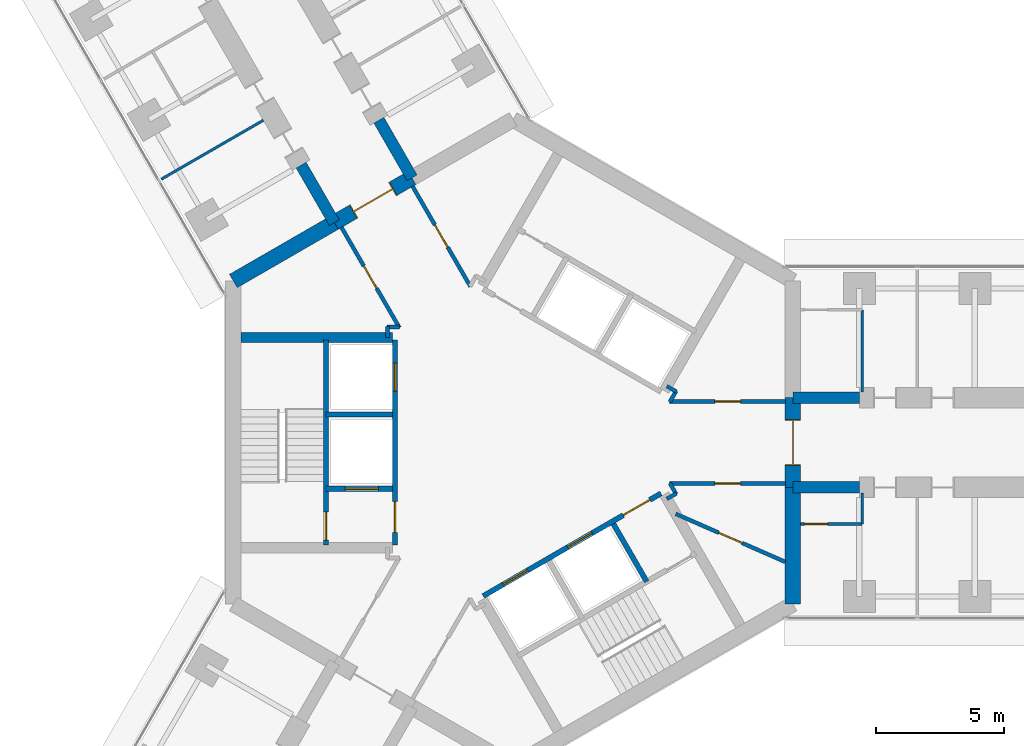
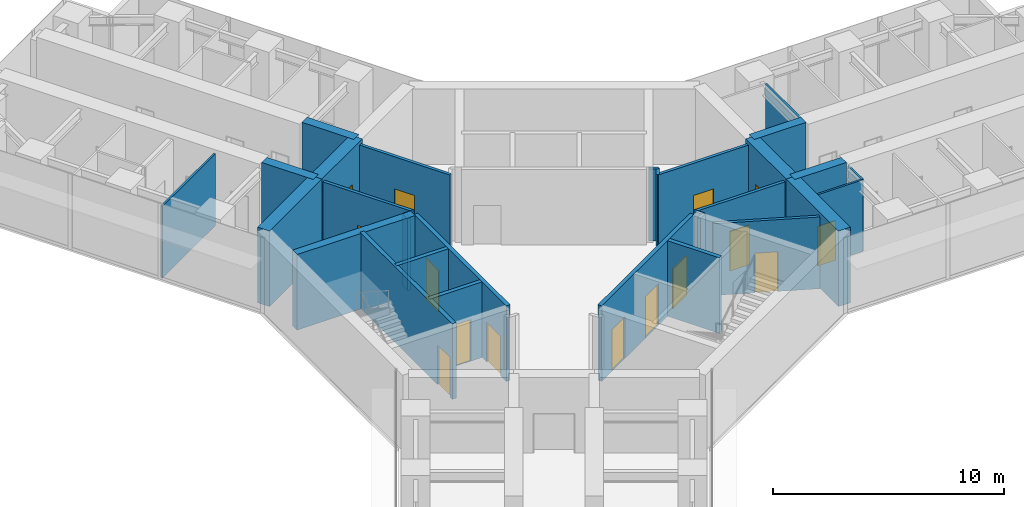
# One storey, part 16 of 23: 30 walls, 15 doors, 15 openings.
"""IFC4 building model written with IfcOpenShell, lengths in metres."""

from ifc_helpers import new_model, si_unit, direction, frame, frame_2d, origin, place, context, subcontext, project, spatial, rectangle, extrude, material, layer, layer_set, type_object, element, fill, save


model = new_model("IFC4")

# Units and contexts
model_context = context("Model", 3, precision=1e-05, world=origin(), true_north=direction((0.0, 1.0)))
body_context = subcontext(model_context, "Body", "Model", "MODEL_VIEW")
ifc_project = project(units=[si_unit("LENGTHUNIT", "METRE"), si_unit("AREAUNIT", "SQUARE_METRE"), si_unit("VOLUMEUNIT", "CUBIC_METRE"), si_unit("PLANEANGLEUNIT", "RADIAN"), si_unit("MASSUNIT", "GRAM", prefix="KILO")], contexts=[model_context])

# Site, building, storey
site_placement = place(None, origin())
site = spatial("IfcSite", under=ifc_project, at=site_placement, CompositionType="ELEMENT")
building_placement = place(site_placement, origin())
building = spatial("IfcBuilding", under=site, at=building_placement, Name="Upepo Twin Towers", CompositionType="ELEMENT")
storey_placement = place(building_placement, frame((0.0, 0.0, 153.5)))
storey = spatial("IfcBuildingStorey", under=building, at=storey_placement, Name="L37", CompositionType="ELEMENT", Elevation=153.5)

# Walls
ifc_material_1 = material(Name="Concrete C60/75", Category="concrete")
ifc_layer_1 = layer(ifc_material_1, 0.449951171875)
ifc_layer_set_1 = layer_set([ifc_layer_1], Name="Concrete C60/75")
wall_type_1 = type_object("IfcWallType", Name="Buttress wall 450 RC", PredefinedType="SHEAR", material=ifc_layer_set_1)
for number, where, z_axis, x_axis, name in (
    (1, (10.908447265625, 1.75, 0.0), (0.0, 0.0, 1.0), (1.0, 0.0, 0.0), "T1 wing A buttress wall L"),
    (2, (10.908447265625, -1.75, 0.0), (0.0, 0.0, 1.0), (1.0, 0.0, 0.0), "T1 wing A buttress wall R"),
):
    element("IfcWall", number, at=place(storey_placement, frame(where, z_axis=z_axis, x_axis=x_axis)), inside=storey, type_object=wall_type_1, Name=name, PredefinedType="SHEAR", context=body_context, shape_type="SweptSolid", body=[
        extrude(rectangle(XDim=2.591552734375, YDim=0.449951171875, at=frame_2d((1.2958984375, 0.0))), origin(), (0.0, 0.0, 1.0), 4.0),
    ])
for number, where, z_axis, x_axis, name in (
    (3, (-6.9697265625, 8.57177734375, 0.0), (0.0, 0.0, 1.0), (-0.499988811324, 0.866031863473, 0.0), "T1 wing B buttress wall L"),
    (4, (-3.938720703125, 10.32177734375, 0.0), (0.0, 0.0, 1.0), (-0.499918158782, 0.866072649678, 0.0), "T1 wing B buttress wall R"),
):
    element("IfcWall", number, at=place(storey_placement, frame(where, z_axis=z_axis, x_axis=x_axis)), inside=storey, type_object=wall_type_1, Name=name, PredefinedType="SHEAR", context=body_context, shape_type="SweptSolid", body=[
        extrude(rectangle(XDim=2.591796875, YDim=0.449951171875, at=frame_2d((1.2958984375, 0.0))), origin(), (0.0, 0.0, 1.0), 4.0),
    ])
ifc_material_2 = material(Name="Concrete C60/75", Category="concrete")
ifc_layer_2 = layer(ifc_material_2, 0.60009765625)
ifc_layer_set_2 = layer_set([ifc_layer_2], Name="Concrete C60/75")
wall_type_2 = type_object("IfcWallType", Name="Core wall 600 RC", PredefinedType="SHEAR", material=ifc_layer_set_2)
wall_1_placement = place(storey_placement, frame((10.908447265625, -6.2978515625, 0.0), z_axis=(0.0, 0.0, 1.0), x_axis=(0.0, 1.0, 0.0)))
element("IfcWall", 5, at=wall_1_placement, inside=storey, type_object=wall_type_2, Name="T1 core wall 000 R", PredefinedType="SHEAR", context=body_context, shape_type="SweptSolid", body=[
    extrude(rectangle(XDim=4.5478515625, YDim=0.60009765625, at=frame_2d((2.27392578125, 0.0))), origin(), (0.0, 0.0, 1.0), 4.0),
])

# Wall, opening, door
wall_2_placement = place(storey_placement, frame((10.908447265625, -1.75, 0.0), z_axis=(0.0, 0.0, 1.0), x_axis=(0.0, 1.0, 0.0)))
wall_2 = element("IfcWall", 6, at=wall_2_placement, inside=storey, type_object=wall_type_2, Name="T1 core wall 000", PredefinedType="SHEAR", context=body_context, shape_type="SweptSolid", body=[
    extrude(rectangle(XDim=3.5, YDim=0.60009765625, at=frame_2d((1.75, 0.0))), origin(), (0.0, 0.0, 1.0), 4.0),
])
opening_1_placement = place(wall_2_placement, frame((0.85009765625, 0.0, 0.0)))
opening_1 = element("IfcOpeningElement", 7, at=opening_1_placement, cuts=wall_2, Name="Opening D2", PredefinedType="OPENING", context=body_context, shape_type="SweptSolid", body=[
    extrude(rectangle(XDim=1.800048828125, YDim=2.10009765625, at=frame_2d((0.89990234375, 1.050048828125))), frame((0.0, 0.31005859375, 0.0), z_axis=(0.0, -1.0, 0.0), x_axis=(1.0, 0.0, 0.0)), (0.0, 0.0, 1.0), 0.6201171875),
])
ifc_material_3 = material(Name="Timber doorset", Category="wood")
door_type_1 = type_object("IfcDoorType", Name="Corridor double door 1800 FD60", OperationType="DOUBLE_DOOR_DOUBLE_SWING", PredefinedType="DOOR", material=ifc_material_3)
door_1_placement = place(opening_1_placement, origin())
door_1 = element("IfcDoor", 8, at=door_1_placement, inside=storey, type_object=door_type_1, Name="T1 L37 wing A corridor door", OperationType="DOUBLE_DOOR_DOUBLE_SWING", OverallHeight=2.10009765625, OverallWidth=1.800048828125, PredefinedType="DOOR", context=body_context, shape_type="SweptSolid", body=[
    extrude(rectangle(XDim=1.720048828125, YDim=2.06009765625, at=frame_2d((0.89990234375, 1.030029296875))), frame((0.0, 0.02490234375, 0.0), z_axis=(0.0, -1.0, 0.0), x_axis=(1.0, 0.0, 0.0)), (0.0, 0.0, 1.0), 0.050048828125),
    extrude(rectangle(XDim=0.04, YDim=2.10009765625, at=frame_2d((0.02001953125, 1.050048828125))), frame((0.0, 0.2998046875, 0.0), z_axis=(0.0, -1.0, 0.0), x_axis=(1.0, 0.0, 0.0)), (0.0, 0.0, 1.0), 0.599609375),
    extrude(rectangle(XDim=0.04, YDim=2.10009765625, at=frame_2d((1.780029296875, 1.050048828125))), frame((0.0, 0.2998046875, 0.0), z_axis=(0.0, -1.0, 0.0), x_axis=(1.0, 0.0, 0.0)), (0.0, 0.0, 1.0), 0.599609375),
    extrude(rectangle(XDim=1.720048828125, YDim=0.04, at=frame_2d((0.89990234375, 2.080078125))), frame((0.0, 0.2998046875, 0.0), z_axis=(0.0, -1.0, 0.0), x_axis=(1.0, 0.0, 0.0)), (0.0, 0.0, 1.0), 0.599609375),
])
fill(opening_1, door_1)

wall_3_placement = place(storey_placement, frame((-3.938720703125, 10.32177734375, 0.0), z_axis=(0.0, 0.0, 1.0), x_axis=(-0.866019471182, -0.500010275428, 0.0)))
wall_3 = element("IfcWall", 9, at=wall_3_placement, inside=storey, type_object=wall_type_2, Name="T1 core wall 120", PredefinedType="SHEAR", context=body_context, shape_type="SweptSolid", body=[
    extrude(rectangle(XDim=3.5, YDim=0.60009765625, at=frame_2d((1.75, 0.0))), origin(), (0.0, 0.0, 1.0), 4.0),
])
opening_2_placement = place(wall_3_placement, frame((0.85009765625, 0.0, 0.0)))
opening_2 = element("IfcOpeningElement", 10, at=opening_2_placement, cuts=wall_3, Name="Opening D2", PredefinedType="OPENING", context=body_context, shape_type="SweptSolid", body=[
    extrude(rectangle(XDim=1.800048828125, YDim=2.10009765625, at=frame_2d((0.89990234375, 1.050048828125))), frame((0.0, 0.31005859375, 0.0), z_axis=(0.0, -1.0, 0.0), x_axis=(1.0, 0.0, 0.0)), (0.0, 0.0, 1.0), 0.6201171875),
])
door_2_placement = place(opening_2_placement, origin())
door_2 = element("IfcDoor", 11, at=door_2_placement, inside=storey, type_object=door_type_1, Name="T1 L37 wing B corridor door", OperationType="DOUBLE_DOOR_DOUBLE_SWING", OverallHeight=2.10009765625, OverallWidth=1.800048828125, PredefinedType="DOOR", context=body_context, shape_type="SweptSolid", body=[
    extrude(rectangle(XDim=1.720048828125, YDim=2.06009765625, at=frame_2d((0.89990234375, 1.030029296875))), frame((0.0, 0.02490234375, 0.0), z_axis=(0.0, -1.0, 0.0), x_axis=(1.0, 0.0, 0.0)), (0.0, 0.0, 1.0), 0.050048828125),
    extrude(rectangle(XDim=0.04, YDim=2.10009765625, at=frame_2d((0.02001953125, 1.050048828125))), frame((0.0, 0.2998046875, 0.0), z_axis=(0.0, -1.0, 0.0), x_axis=(1.0, 0.0, 0.0)), (0.0, 0.0, 1.0), 0.599609375),
    extrude(rectangle(XDim=0.04, YDim=2.10009765625, at=frame_2d((1.780029296875, 1.050048828125))), frame((0.0, 0.2998046875, 0.0), z_axis=(0.0, -1.0, 0.0), x_axis=(1.0, 0.0, 0.0)), (0.0, 0.0, 1.0), 0.599609375),
    extrude(rectangle(XDim=1.720048828125, YDim=0.04, at=frame_2d((0.89990234375, 2.080078125))), frame((0.0, 0.2998046875, 0.0), z_axis=(0.0, -1.0, 0.0), x_axis=(1.0, 0.0, 0.0)), (0.0, 0.0, 1.0), 0.599609375),
])
fill(opening_2, door_2)

# Walls
wall_4_placement = place(storey_placement, frame((-6.9697265625, 8.57177734375, 0.0), z_axis=(0.0, 0.0, 1.0), x_axis=(-0.866034513004, -0.499984222037, 0.0)))
element("IfcWall", 12, at=wall_4_placement, inside=storey, type_object=wall_type_2, Name="T1 core wall 120 L", PredefinedType="SHEAR", context=body_context, shape_type="SweptSolid", body=[
    extrude(rectangle(XDim=4.548095703125, YDim=0.60009765625, at=frame_2d((2.27392578125, 0.0))), origin(), (0.0, 0.0, 1.0), 4.0),
])
ifc_material_4 = material(Name="Gypsum board on steel studs", Category="steel")
ifc_layer_3 = layer(ifc_material_4, 0.10009765625)
ifc_layer_set_3 = layer_set([ifc_layer_3], Name="Office partition 100 stud")
wall_type_3 = type_object("IfcWallType", Name="Office partition 100 stud", PredefinedType="PARTITIONING", material=ifc_layer_set_3)
wall_5_placement = place(storey_placement, frame((13.60791015625, 1.97509765625, 0.0), z_axis=(0.0, 0.0, 1.0), x_axis=(0.0, 1.0, 0.0)))
element("IfcWall", 13, at=wall_5_placement, inside=storey, type_object=wall_type_3, Name="T1 WC bay partition AL end at 13.61", PredefinedType="PARTITIONING", context=body_context, shape_type="SweptSolid", body=[
    extrude(rectangle(XDim=3.199951171875, YDim=0.10009765625, at=frame_2d((1.60009765625, 0.0))), origin(), (0.0, 0.0, 1.0), 3.800048828125),
])

# Wall, opening, door
wall_6_placement = place(storey_placement, frame((11.2080078125, -3.175048828125, 0.0), z_axis=(0.0, 0.0, 1.0), x_axis=(1.0, 0.0, 0.0)))
wall_6 = element("IfcWall", 14, at=wall_6_placement, inside=storey, type_object=wall_type_3, Name="T1 WC bay partition AR at 11.21", PredefinedType="PARTITIONING", context=body_context, shape_type="SweptSolid", body=[
    extrude(rectangle(XDim=2.39990234375, YDim=0.10009765625, at=frame_2d((1.199951171875, 0.0))), origin(), (0.0, 0.0, 1.0), 3.800048828125),
])
opening_3_placement = place(wall_6_placement, frame((0.14990234375, 0.0, 0.0)))
opening_3 = element("IfcOpeningElement", 15, at=opening_3_placement, cuts=wall_6, Name="Opening D14", PredefinedType="OPENING", context=body_context, shape_type="SweptSolid", body=[
    extrude(rectangle(XDim=0.89990234375, YDim=2.10009765625, at=frame_2d((0.449951171875, 1.050048828125))), frame((0.0, 0.06005859375, 0.0), z_axis=(0.0, -1.0, 0.0), x_axis=(1.0, 0.0, 0.0)), (0.0, 0.0, 1.0), 0.1201171875),
])
ifc_material_5 = material(Name="Timber doorset", Category="wood")
door_type_2 = type_object("IfcDoorType", Name="Office door 900 FD30", OperationType="SINGLE_SWING_LEFT", PredefinedType="DOOR", material=ifc_material_5)
door_3_placement = place(opening_3_placement, origin())
door_3 = element("IfcDoor", 16, at=door_3_placement, inside=storey, type_object=door_type_2, Name="T1 L37 WC bay inner room door", OperationType="SINGLE_SWING_LEFT", OverallHeight=2.10009765625, OverallWidth=0.89990234375, PredefinedType="DOOR", context=body_context, shape_type="SweptSolid", body=[
    extrude(rectangle(XDim=0.89990234375, YDim=2.10009765625, at=frame_2d((0.449951171875, 1.050048828125))), frame((0.0, 0.02490234375, 0.0), z_axis=(0.0, -1.0, 0.0), x_axis=(1.0, 0.0, 0.0)), (0.0, 0.0, 1.0), 0.050048828125),
])
fill(opening_3, door_3)

# Walls
wall_7_placement = place(storey_placement, frame((13.60791015625, -1.97509765625, 0.0), z_axis=(0.0, 0.0, 1.0), x_axis=(0.0, -1.0, 0.0)))
element("IfcWall", 17, at=wall_7_placement, inside=storey, type_object=wall_type_3, Name="T1 WC bay partition AR end at 13.61", PredefinedType="PARTITIONING", context=body_context, shape_type="SweptSolid", body=[
    extrude(rectangle(XDim=1.199951171875, YDim=0.10009765625, at=frame_2d((0.60009765625, 0.0))), origin(), (0.0, 0.0, 1.0), 3.800048828125),
])
wall_8_placement = place(storey_placement, frame((-9.737060546875, 12.56494140625, 0.0), z_axis=(0.0, 0.0, 1.0), x_axis=(-0.866016770315, -0.500014953309, 0.0)))
element("IfcWall", 18, at=wall_8_placement, inside=storey, type_object=wall_type_3, Name="T1 partition BL at 15.75", PredefinedType="PARTITIONING", context=body_context, shape_type="SweptSolid", body=[
    extrude(rectangle(XDim=4.599853515625, YDim=0.10009765625, at=frame_2d((2.2998046875, 0.0))), origin(), (0.0, 0.0, 1.0), 3.800048828125),
])

# Wall, openings, doors
ifc_material_6 = material(Name="Concrete C40/50", Category="concrete")
ifc_layer_4 = layer(ifc_material_6, 0.199951171875)
ifc_layer_set_4 = layer_set([ifc_layer_4], Name="Concrete C40/50")
wall_type_4 = type_object("IfcWallType", Name="Shaft wall 200 RC", PredefinedType="SHEAR", material=ifc_layer_set_4)
wall_9_placement = place(storey_placement, frame((-4.60009765625, 4.0, 0.0), z_axis=(0.0, 0.0, 1.0), x_axis=(0.0, -1.0, 0.0)))
wall_9 = element("IfcWall", 19, at=wall_9_placement, inside=storey, type_object=wall_type_4, Name="T1 core W180 front wall", PredefinedType="SHEAR", context=body_context, shape_type="SweptSolid", body=[
    extrude(rectangle(XDim=8.0, YDim=0.199951171875, at=frame_2d((4.0, 0.0))), origin(), (0.0, 0.0, 1.0), 4.0),
])
opening_4_placement = place(wall_9_placement, frame((6.300048828125, 0.0, 0.0)))
opening_4 = element("IfcOpeningElement", 20, at=opening_4_placement, cuts=wall_9, Name="Opening D4", PredefinedType="OPENING", context=body_context, shape_type="SweptSolid", body=[
    extrude(rectangle(XDim=1.199951171875, YDim=2.10009765625, at=frame_2d((0.60009765625, 1.050048828125))), frame((0.0, 0.10986328125, 0.0), z_axis=(0.0, -1.0, 0.0), x_axis=(1.0, 0.0, 0.0)), (0.0, 0.0, 1.0), 0.219970703125),
])
opening_5_placement = place(wall_9_placement, frame((0.89990234375, 0.0, 0.0)))
opening_5 = element("IfcOpeningElement", 21, at=opening_5_placement, cuts=wall_9, Name="Opening LD1", PredefinedType="OPENING", context=body_context, shape_type="SweptSolid", body=[
    extrude(rectangle(XDim=1.10009765625, YDim=2.199951171875, at=frame_2d((0.550048828125, 1.10009765625))), frame((0.0, 0.10986328125, 0.0), z_axis=(0.0, -1.0, 0.0), x_axis=(1.0, 0.0, 0.0)), (0.0, 0.0, 1.0), 0.219970703125),
])
ifc_material_7 = material(Name="Steel doorset", Category="steel")
door_type_3 = type_object("IfcDoorType", Name="Lift landing door 1100", OperationType="DOUBLE_DOOR_SLIDING", PredefinedType="DOOR", material=ifc_material_7)
door_4_placement = place(opening_5_placement, origin())
door_4 = element("IfcDoor", 22, at=door_4_placement, inside=storey, type_object=door_type_3, Name="T1 L37 lift SV1 landing door", OperationType="DOUBLE_DOOR_SLIDING", OverallHeight=2.199951171875, OverallWidth=1.10009765625, PredefinedType="DOOR", context=body_context, shape_type="SweptSolid", body=[
    extrude(rectangle(XDim=1.10009765625, YDim=2.199951171875, at=frame_2d((0.550048828125, 1.10009765625))), frame((0.0, 0.02490234375, 0.0), z_axis=(0.0, -1.0, 0.0), x_axis=(1.0, 0.0, 0.0)), (0.0, 0.0, 1.0), 0.050048828125),
])
fill(opening_5, door_4)
ifc_material_8 = material(Name="Timber doorset", Category="wood")
door_type_4 = type_object("IfcDoorType", Name="Lobby door 1200 FD60", OperationType="SINGLE_SWING_LEFT", PredefinedType="DOOR", material=ifc_material_8)
door_5_placement = place(opening_4_placement, origin())
door_5 = element("IfcDoor", 23, at=door_5_placement, inside=storey, type_object=door_type_4, Name="T1 L37 W180 lobby door", OperationType="SINGLE_SWING_RIGHT", OverallHeight=2.10009765625, OverallWidth=1.199951171875, PredefinedType="DOOR", context=body_context, shape_type="SweptSolid", body=[
    extrude(rectangle(XDim=1.199951171875, YDim=2.10009765625, at=frame_2d((0.60009765625, 1.050048828125))), frame((0.0, 0.02490234375, 0.0), z_axis=(0.0, -1.0, 0.0), x_axis=(1.0, 0.0, 0.0)), (0.0, 0.0, 1.0), 0.050048828125),
])
fill(opening_4, door_5)

# Wall
wall_10_placement = place(storey_placement, frame((-4.699951171875, 1.10009765625, 0.0), z_axis=(0.0, 0.0, 1.0), x_axis=(-1.0, 0.0, 0.0)))
element("IfcWall", 24, at=wall_10_placement, inside=storey, type_object=wall_type_4, Name="T1 core W180 shaft divider", PredefinedType="SHEAR", context=body_context, shape_type="SweptSolid", body=[
    extrude(rectangle(XDim=2.60009765625, YDim=0.199951171875, at=frame_2d((1.300048828125, 0.0))), origin(), (0.0, 0.0, 1.0), 4.0),
])

# Wall, opening, door
wall_11_placement = place(storey_placement, frame((-4.699951171875, -1.800048828125, 0.0), z_axis=(0.0, 0.0, 1.0), x_axis=(-1.0, 0.0, 0.0)))
wall_11 = element("IfcWall", 25, at=wall_11_placement, inside=storey, type_object=wall_type_4, Name="T1 core W180 lobby wall", PredefinedType="SHEAR", context=body_context, shape_type="SweptSolid", body=[
    extrude(rectangle(XDim=2.60009765625, YDim=0.199951171875, at=frame_2d((1.300048828125, 0.0))), origin(), (0.0, 0.0, 1.0), 4.0),
])
opening_6_placement = place(wall_11_placement, frame((0.550048828125, 0.0, 0.0)))
opening_6 = element("IfcOpeningElement", 26, at=opening_6_placement, cuts=wall_11, Name="Opening LD2", PredefinedType="OPENING", context=body_context, shape_type="SweptSolid", body=[
    extrude(rectangle(XDim=1.300048828125, YDim=2.199951171875, at=frame_2d((0.64990234375, 1.10009765625))), frame((0.0, 0.10986328125, 0.0), z_axis=(0.0, -1.0, 0.0), x_axis=(1.0, 0.0, 0.0)), (0.0, 0.0, 1.0), 0.219970703125),
])
ifc_material_9 = material(Name="Steel doorset", Category="steel")
door_type_5 = type_object("IfcDoorType", Name="Firefighting lift landing door 1300", OperationType="DOUBLE_DOOR_SLIDING", PredefinedType="DOOR", material=ifc_material_9)
door_6_placement = place(opening_6_placement, origin())
door_6 = element("IfcDoor", 27, at=door_6_placement, inside=storey, type_object=door_type_5, Name="T1 L37 firefighting lift landing door", OperationType="DOUBLE_DOOR_SLIDING", OverallHeight=2.199951171875, OverallWidth=1.300048828125, PredefinedType="DOOR", context=body_context, shape_type="SweptSolid", body=[
    extrude(rectangle(XDim=1.300048828125, YDim=2.199951171875, at=frame_2d((0.64990234375, 1.10009765625))), frame((0.0, 0.02490234375, 0.0), z_axis=(0.0, -1.0, 0.0), x_axis=(1.0, 0.0, 0.0)), (0.0, 0.0, 1.0), 0.050048828125),
])
fill(opening_6, door_6)

wall_12_placement = place(storey_placement, frame((-7.300048828125, 4.0, 0.0), z_axis=(0.0, 0.0, 1.0), x_axis=(0.0, -1.0, 0.0)))
wall_12 = element("IfcWall", 28, at=wall_12_placement, inside=storey, type_object=wall_type_4, Name="T1 core W180 stair wall", PredefinedType="SHEAR", context=body_context, shape_type="SweptSolid", body=[
    extrude(rectangle(XDim=8.0, YDim=0.199951171875, at=frame_2d((4.0, 0.0))), origin(), (0.0, 0.0, 1.0), 4.0),
])
opening_7_placement = place(wall_12_placement, frame((6.699951171875, 0.0, 0.0)))
opening_7 = element("IfcOpeningElement", 29, at=opening_7_placement, cuts=wall_12, Name="Opening D3", PredefinedType="OPENING", context=body_context, shape_type="SweptSolid", body=[
    extrude(rectangle(XDim=1.10009765625, YDim=2.10009765625, at=frame_2d((0.550048828125, 1.050048828125))), frame((0.0, 0.10986328125, 0.0), z_axis=(0.0, -1.0, 0.0), x_axis=(1.0, 0.0, 0.0)), (0.0, 0.0, 1.0), 0.219970703125),
])
ifc_material_10 = material(Name="Timber doorset", Category="wood")
door_type_6 = type_object("IfcDoorType", Name="Stair door 1100 FD60", OperationType="SINGLE_SWING_LEFT", PredefinedType="DOOR", material=ifc_material_10)
door_7_placement = place(opening_7_placement, origin())
door_7 = element("IfcDoor", 30, at=door_7_placement, inside=storey, type_object=door_type_6, Name="T1 L37 stair door", OperationType="SINGLE_SWING_RIGHT", OverallHeight=2.10009765625, OverallWidth=1.10009765625, PredefinedType="DOOR", context=body_context, shape_type="SweptSolid", body=[
    extrude(rectangle(XDim=1.10009765625, YDim=2.10009765625, at=frame_2d((0.550048828125, 1.050048828125))), frame((0.0, 0.02490234375, 0.0), z_axis=(0.0, -1.0, 0.0), x_axis=(1.0, 0.0, 0.0)), (0.0, 0.0, 1.0), 0.050048828125),
])
fill(opening_7, door_7)

# Wall, openings, doors
wall_13_placement = place(storey_placement, frame((-1.1640625, -5.983642578125, 0.0), z_axis=(0.0, 0.0, 1.0), x_axis=(0.866026010844, 0.49999894854, 0.0)))
wall_13 = element("IfcWall", 31, at=wall_13_placement, inside=storey, type_object=wall_type_4, Name="T1 core W300 front wall", PredefinedType="SHEAR", context=body_context, shape_type="SweptSolid", body=[
    extrude(rectangle(XDim=8.0, YDim=0.199951171875, at=frame_2d((4.0, 0.0))), origin(), (0.0, 0.0, 1.0), 4.0),
])
opening_8_placement = place(wall_13_placement, frame((6.300048828125, 0.0, 0.0)))
opening_8 = element("IfcOpeningElement", 32, at=opening_8_placement, cuts=wall_13, Name="Opening D4", PredefinedType="OPENING", context=body_context, shape_type="SweptSolid", body=[
    extrude(rectangle(XDim=1.199951171875, YDim=2.10009765625, at=frame_2d((0.60009765625, 1.050048828125))), frame((0.0, 0.10986328125, 0.0), z_axis=(0.0, -1.0, 0.0), x_axis=(1.0, 0.0, 0.0)), (0.0, 0.0, 1.0), 0.219970703125),
])
opening_9_placement = place(wall_13_placement, frame((0.89990234375, 0.0, 0.0)))
opening_9 = element("IfcOpeningElement", 33, at=opening_9_placement, cuts=wall_13, Name="Opening LD1", PredefinedType="OPENING", context=body_context, shape_type="SweptSolid", body=[
    extrude(rectangle(XDim=1.10009765625, YDim=2.199951171875, at=frame_2d((0.550048828125, 1.10009765625))), frame((0.0, 0.10986328125, 0.0), z_axis=(0.0, -1.0, 0.0), x_axis=(1.0, 0.0, 0.0)), (0.0, 0.0, 1.0), 0.219970703125),
])
opening_10_placement = place(wall_13_placement, frame((3.800048828125, 0.0, 0.0)))
opening_10 = element("IfcOpeningElement", 34, at=opening_10_placement, cuts=wall_13, Name="Opening LD1", PredefinedType="OPENING", context=body_context, shape_type="SweptSolid", body=[
    extrude(rectangle(XDim=1.10009765625, YDim=2.199951171875, at=frame_2d((0.550048828125, 1.10009765625))), frame((0.0, 0.10986328125, 0.0), z_axis=(0.0, -1.0, 0.0), x_axis=(1.0, 0.0, 0.0)), (0.0, 0.0, 1.0), 0.219970703125),
])
door_8_placement = place(opening_9_placement, origin())
door_8 = element("IfcDoor", 35, at=door_8_placement, inside=storey, type_object=door_type_3, Name="T1 L37 lift ML1 landing door", OperationType="DOUBLE_DOOR_SLIDING", OverallHeight=2.199951171875, OverallWidth=1.10009765625, PredefinedType="DOOR", context=body_context, shape_type="SweptSolid", body=[
    extrude(rectangle(XDim=1.10009765625, YDim=2.199951171875, at=frame_2d((0.550048828125, 1.10009765625))), frame((0.0, 0.02490234375, 0.0), z_axis=(0.0, -1.0, 0.0), x_axis=(1.0, 0.0, 0.0)), (0.0, 0.0, 1.0), 0.050048828125),
])
fill(opening_9, door_8)
door_9_placement = place(opening_10_placement, origin())
door_9 = element("IfcDoor", 36, at=door_9_placement, inside=storey, type_object=door_type_3, Name="T1 L37 lift ML2 landing door", OperationType="DOUBLE_DOOR_SLIDING", OverallHeight=2.199951171875, OverallWidth=1.10009765625, PredefinedType="DOOR", context=body_context, shape_type="SweptSolid", body=[
    extrude(rectangle(XDim=1.10009765625, YDim=2.199951171875, at=frame_2d((0.550048828125, 1.10009765625))), frame((0.0, 0.02490234375, 0.0), z_axis=(0.0, -1.0, 0.0), x_axis=(1.0, 0.0, 0.0)), (0.0, 0.0, 1.0), 0.050048828125),
])
fill(opening_10, door_9)
door_10_placement = place(opening_8_placement, origin())
door_10 = element("IfcDoor", 37, at=door_10_placement, inside=storey, type_object=door_type_4, Name="T1 L37 W300 lobby door", OperationType="SINGLE_SWING_RIGHT", OverallHeight=2.10009765625, OverallWidth=1.199951171875, PredefinedType="DOOR", context=body_context, shape_type="SweptSolid", body=[
    extrude(rectangle(XDim=1.199951171875, YDim=2.10009765625, at=frame_2d((0.60009765625, 1.050048828125))), frame((0.0, 0.02490234375, 0.0), z_axis=(0.0, -1.0, 0.0), x_axis=(1.0, 0.0, 0.0)), (0.0, 0.0, 1.0), 0.050048828125),
])
fill(opening_8, door_10)

# Walls
wall_14_placement = place(storey_placement, frame((3.908935546875, -3.17041015625, 0.0), z_axis=(0.0, 0.0, 1.0), x_axis=(0.49997716683, -0.86603858612, 0.0)))
element("IfcWall", 38, at=wall_14_placement, inside=storey, type_object=wall_type_4, Name="T1 core W300 lobby wall", PredefinedType="SHEAR", context=body_context, shape_type="SweptSolid", body=[
    extrude(rectangle(XDim=2.599609375, YDim=0.199951171875, at=frame_2d((1.2998046875, 0.0))), origin(), (0.0, 0.0, 1.0), 4.0),
])
ifc_material_11 = material(Name="Concrete C40/50", Category="concrete")
ifc_layer_5 = layer(ifc_material_11, 0.39990234375)
ifc_layer_set_5 = layer_set([ifc_layer_5], Name="Concrete C40/50")
wall_type_5 = type_object("IfcWallType", Name="Shaft wall 400 RC", PredefinedType="SHEAR", material=ifc_layer_set_5)
wall_15_placement = place(storey_placement, frame((-4.699951171875, 4.10009765625, 0.0), z_axis=(0.0, 0.0, 1.0), x_axis=(-1.0, 0.0, 0.0)))
element("IfcWall", 39, at=wall_15_placement, inside=storey, type_object=wall_type_5, Name="T1 core W180 side wall S", PredefinedType="SHEAR", context=body_context, shape_type="SweptSolid", body=[
    extrude(rectangle(XDim=5.908447265625, YDim=0.39990234375, at=frame_2d((2.9541015625, 0.0))), origin(), (0.0, 0.0, 1.0), 4.0),
])
ifc_material_12 = material(Name="Gypsum board on steel studs", Category="steel")
ifc_layer_6 = layer(ifc_material_12, 0.14990234375)
ifc_layer_set_6 = layer_set([ifc_layer_6], Name="Teaching partition 150 acoustic")
wall_type_6 = type_object("IfcWallType", Name="Teaching partition 150 acoustic", PredefinedType="PARTITIONING", material=ifc_layer_set_6)
for number, where, z_axis, x_axis, name in (
    (40, (6.364501953125, -1.9833984375, 0.0), (0.0, 0.0, 1.0), (-0.865892400268, -0.500230298122, 0.0), "T1 core room partition 1"),
    (41, (-4.89990234375, 4.090087890625, 0.0), (0.0, 0.0, 1.0), (0.0, 1.0, 0.0), "T1 core room partition 8"),
):
    element("IfcWall", number, at=place(storey_placement, frame(where, z_axis=z_axis, x_axis=x_axis)), inside=storey, type_object=wall_type_6, Name=name, PredefinedType="PARTITIONING", context=body_context, shape_type="SweptSolid", body=[
        extrude(rectangle(XDim=0.429931640625, YDim=0.14990234375, at=frame_2d((0.21484375, 0.0))), origin(), (0.0, 0.0, 1.0), 3.800048828125),
    ])
wall_16_placement = place(storey_placement, frame((-4.919921875, 4.5, 0.0), z_axis=(0.0, 0.0, 1.0), x_axis=(1.0, 0.0, 0.0)))
element("IfcWall", 42, at=wall_16_placement, inside=storey, type_object=wall_type_6, Name="T1 core room partition 9", PredefinedType="PARTITIONING", context=body_context, shape_type="SweptSolid", body=[
    extrude(rectangle(XDim=0.494384765625, YDim=0.14990234375, at=frame_2d((0.2470703125, 0.0))), origin(), (0.0, 0.0, 1.0), 3.800048828125),
])

# Wall, opening, door
wall_17_placement = place(storey_placement, frame((-4.435546875, 4.482666015625, 0.0), z_axis=(0.0, 0.0, 1.0), x_axis=(-0.500009315796, 0.86602002524, 0.0)))
wall_17 = element("IfcWall", 43, at=wall_17_placement, inside=storey, type_object=wall_type_6, Name="T1 core room partition 10", PredefinedType="PARTITIONING", context=body_context, shape_type="SweptSolid", body=[
    extrude(rectangle(XDim=4.5185546875, YDim=0.14990234375, at=frame_2d((2.25927734375, 0.0))), origin(), (0.0, 0.0, 1.0), 3.800048828125),
])
opening_11_placement = place(wall_17_placement, frame((1.769287109375, 0.0, 0.0)))
opening_11 = element("IfcOpeningElement", 44, at=opening_11_placement, cuts=wall_17, Name="Opening D1", PredefinedType="OPENING", context=body_context, shape_type="SweptSolid", body=[
    extrude(rectangle(XDim=1.0, YDim=2.10009765625, at=frame_2d((0.5, 1.050048828125))), frame((0.0, 0.0849609375, 0.0), z_axis=(0.0, -1.0, 0.0), x_axis=(1.0, 0.0, 0.0)), (0.0, 0.0, 1.0), 0.169921875),
])
ifc_material_13 = material(Name="Timber doorset", Category="wood")
door_type_7 = type_object("IfcDoorType", Name="Room door 1000 FD30", OperationType="SINGLE_SWING_LEFT", PredefinedType="DOOR", material=ifc_material_13)
door_11_placement = place(opening_11_placement, origin())
door_11 = element("IfcDoor", 45, at=door_11_placement, inside=storey, type_object=door_type_7, Name="T1 L37 core room door K7", OperationType="SINGLE_SWING_RIGHT", OverallHeight=2.10009765625, OverallWidth=1.0, PredefinedType="DOOR", context=body_context, shape_type="SweptSolid", body=[
    extrude(rectangle(XDim=1.0, YDim=2.10009765625, at=frame_2d((0.5, 1.050048828125))), frame((0.0, 0.02490234375, 0.0), z_axis=(0.0, -1.0, 0.0), x_axis=(1.0, 0.0, 0.0)), (0.0, 0.0, 1.0), 0.050048828125),
])
fill(opening_11, door_11)

wall_18_placement = place(storey_placement, frame((-3.923583984375, 9.99560546875, 0.0), z_axis=(0.0, 0.0, 1.0), x_axis=(0.500032713409, -0.866006515865, 0.0)))
wall_18 = element("IfcWall", 46, at=wall_18_placement, inside=storey, type_object=wall_type_6, Name="T1 core room partition 11", PredefinedType="PARTITIONING", context=body_context, shape_type="SweptSolid", body=[
    extrude(rectangle(XDim=4.518310546875, YDim=0.14990234375, at=frame_2d((2.25927734375, 0.0))), origin(), (0.0, 0.0, 1.0), 3.800048828125),
])
opening_12_placement = place(wall_18_placement, frame((1.7490234375, 0.0, 0.0)))
opening_12 = element("IfcOpeningElement", 47, at=opening_12_placement, cuts=wall_18, Name="Opening D1", PredefinedType="OPENING", context=body_context, shape_type="SweptSolid", body=[
    extrude(rectangle(XDim=1.0, YDim=2.10009765625, at=frame_2d((0.5, 1.050048828125))), frame((0.0, 0.0849609375, 0.0), z_axis=(0.0, -1.0, 0.0), x_axis=(1.0, 0.0, 0.0)), (0.0, 0.0, 1.0), 0.169921875),
])
door_12_placement = place(opening_12_placement, origin())
door_12 = element("IfcDoor", 48, at=door_12_placement, inside=storey, type_object=door_type_7, Name="T1 L37 core room door K6", OperationType="SINGLE_SWING_LEFT", OverallHeight=2.10009765625, OverallWidth=1.0, PredefinedType="DOOR", context=body_context, shape_type="SweptSolid", body=[
    extrude(rectangle(XDim=1.0, YDim=2.10009765625, at=frame_2d((0.5, 1.050048828125))), frame((0.0, 0.02490234375, 0.0), z_axis=(0.0, -1.0, 0.0), x_axis=(1.0, 0.0, 0.0)), (0.0, 0.0, 1.0), 0.050048828125),
])
fill(opening_12, door_12)

# Walls
wall_19_placement = place(storey_placement, frame((5.9921875, 2.198486328125, 0.0), z_axis=(0.0, 0.0, 1.0), x_axis=(0.865892400268, -0.500230298122, 0.0)))
element("IfcWall", 49, at=wall_19_placement, inside=storey, type_object=wall_type_6, Name="T1 core room partition 14", PredefinedType="PARTITIONING", context=body_context, shape_type="SweptSolid", body=[
    extrude(rectangle(XDim=0.429931640625, YDim=0.14990234375, at=frame_2d((0.21484375, 0.0))), origin(), (0.0, 0.0, 1.0), 3.800048828125),
])
wall_20_placement = place(storey_placement, frame((6.357177734375, 2.0107421875, 0.0), z_axis=(0.0, 0.0, 1.0), x_axis=(-0.50033519877, -0.865831790172, 0.0)))
element("IfcWall", 50, at=wall_20_placement, inside=storey, type_object=wall_type_6, Name="T1 core room partition 15", PredefinedType="PARTITIONING", context=body_context, shape_type="SweptSolid", body=[
    extrude(rectangle(XDim=0.494384765625, YDim=0.14990234375, at=frame_2d((0.2470703125, 0.0))), origin(), (0.0, 0.0, 1.0), 3.800048828125),
])

# Wall, opening, door
wall_21_placement = place(storey_placement, frame((6.099853515625, 1.60009765625, 0.0), z_axis=(0.0, 0.0, 1.0), x_axis=(1.0, 0.0, 0.0)))
wall_21 = element("IfcWall", 51, at=wall_21_placement, inside=storey, type_object=wall_type_6, Name="T1 core room partition 16", PredefinedType="PARTITIONING", context=body_context, shape_type="SweptSolid", body=[
    extrude(rectangle(XDim=4.5185546875, YDim=0.14990234375, at=frame_2d((2.25927734375, 0.0))), origin(), (0.0, 0.0, 1.0), 3.800048828125),
])
opening_13_placement = place(wall_21_placement, frame((1.769287109375, 0.0, 0.0)))
opening_13 = element("IfcOpeningElement", 52, at=opening_13_placement, cuts=wall_21, Name="Opening D1", PredefinedType="OPENING", context=body_context, shape_type="SweptSolid", body=[
    extrude(rectangle(XDim=1.0, YDim=2.10009765625, at=frame_2d((0.5, 1.050048828125))), frame((0.0, 0.0849609375, 0.0), z_axis=(0.0, -1.0, 0.0), x_axis=(1.0, 0.0, 0.0)), (0.0, 0.0, 1.0), 0.169921875),
])
door_13_placement = place(opening_13_placement, origin())
door_13 = element("IfcDoor", 53, at=door_13_placement, inside=storey, type_object=door_type_7, Name="T1 L37 core room door K5", OperationType="SINGLE_SWING_RIGHT", OverallHeight=2.10009765625, OverallWidth=1.0, PredefinedType="DOOR", context=body_context, shape_type="SweptSolid", body=[
    extrude(rectangle(XDim=1.0, YDim=2.10009765625, at=frame_2d((0.5, 1.050048828125))), frame((0.0, 0.02490234375, 0.0), z_axis=(0.0, -1.0, 0.0), x_axis=(1.0, 0.0, 0.0)), (0.0, 0.0, 1.0), 0.050048828125),
])
fill(opening_13, door_13)

wall_22_placement = place(storey_placement, frame((10.618408203125, -1.60009765625, 0.0), z_axis=(0.0, 0.0, 1.0), x_axis=(-1.0, 0.0, 0.0)))
wall_22 = element("IfcWall", 54, at=wall_22_placement, inside=storey, type_object=wall_type_6, Name="T1 core room partition 17", PredefinedType="PARTITIONING", context=body_context, shape_type="SweptSolid", body=[
    extrude(rectangle(XDim=4.5185546875, YDim=0.14990234375, at=frame_2d((2.25927734375, 0.0))), origin(), (0.0, 0.0, 1.0), 3.800048828125),
])
opening_14_placement = place(wall_22_placement, frame((1.7490234375, 0.0, 0.0)))
opening_14 = element("IfcOpeningElement", 55, at=opening_14_placement, cuts=wall_22, Name="Opening D1", PredefinedType="OPENING", context=body_context, shape_type="SweptSolid", body=[
    extrude(rectangle(XDim=1.0, YDim=2.10009765625, at=frame_2d((0.5, 1.050048828125))), frame((0.0, 0.0849609375, 0.0), z_axis=(0.0, -1.0, 0.0), x_axis=(1.0, 0.0, 0.0)), (0.0, 0.0, 1.0), 0.169921875),
])
door_14_placement = place(opening_14_placement, origin())
door_14 = element("IfcDoor", 56, at=door_14_placement, inside=storey, type_object=door_type_7, Name="T1 L37 core room door K3", OperationType="SINGLE_SWING_LEFT", OverallHeight=2.10009765625, OverallWidth=1.0, PredefinedType="DOOR", context=body_context, shape_type="SweptSolid", body=[
    extrude(rectangle(XDim=1.0, YDim=2.10009765625, at=frame_2d((0.5, 1.050048828125))), frame((0.0, 0.02490234375, 0.0), z_axis=(0.0, -1.0, 0.0), x_axis=(1.0, 0.0, 0.0)), (0.0, 0.0, 1.0), 0.050048828125),
])
fill(opening_14, door_14)

# Wall
wall_23_placement = place(storey_placement, frame((6.10986328125, -1.582763671875, 0.0), z_axis=(0.0, 0.0, 1.0), x_axis=(0.50033519877, -0.865831790172, 0.0)))
element("IfcWall", 57, at=wall_23_placement, inside=storey, type_object=wall_type_6, Name="T1 core room partition 18", PredefinedType="PARTITIONING", context=body_context, shape_type="SweptSolid", body=[
    extrude(rectangle(XDim=0.494384765625, YDim=0.14990234375, at=frame_2d((0.2470703125, 0.0))), origin(), (0.0, 0.0, 1.0), 3.800048828125),
])

# Wall, opening, door
wall_24_placement = place(storey_placement, frame((6.33984375, -2.781005859375, 0.0), z_axis=(0.0, 0.0, 1.0), x_axis=(0.915777054116, -0.401686926791, 0.0)))
wall_24 = element("IfcWall", 58, at=wall_24_placement, inside=storey, type_object=wall_type_6, Name="T1 core room partition 19", PredefinedType="PARTITIONING", context=body_context, shape_type="SweptSolid", body=[
    extrude(rectangle(XDim=4.6611328125, YDim=0.14990234375, at=frame_2d((2.33056640625, 0.0))), origin(), (0.0, 0.0, 1.0), 3.800048828125),
])
opening_15_placement = place(wall_24_placement, frame((1.83056640625, 0.0, 0.0)))
opening_15 = element("IfcOpeningElement", 59, at=opening_15_placement, cuts=wall_24, Name="Opening D1", PredefinedType="OPENING", context=body_context, shape_type="SweptSolid", body=[
    extrude(rectangle(XDim=1.0, YDim=2.10009765625, at=frame_2d((0.5, 1.050048828125))), frame((0.0, 0.0849609375, 0.0), z_axis=(0.0, -1.0, 0.0), x_axis=(1.0, 0.0, 0.0)), (0.0, 0.0, 1.0), 0.169921875),
])
door_15_placement = place(opening_15_placement, origin())
door_15 = element("IfcDoor", 60, at=door_15_placement, inside=storey, type_object=door_type_7, Name="T1 L37 core room door K4", OperationType="SINGLE_SWING_LEFT", OverallHeight=2.10009765625, OverallWidth=1.0, PredefinedType="DOOR", context=body_context, shape_type="SweptSolid", body=[
    extrude(rectangle(XDim=1.0, YDim=2.10009765625, at=frame_2d((0.5, 1.050048828125))), frame((0.0, 0.02490234375, 0.0), z_axis=(0.0, -1.0, 0.0), x_axis=(1.0, 0.0, 0.0)), (0.0, 0.0, 1.0), 0.050048828125),
])
fill(opening_15, door_15)

save(model, "model.ifc")
